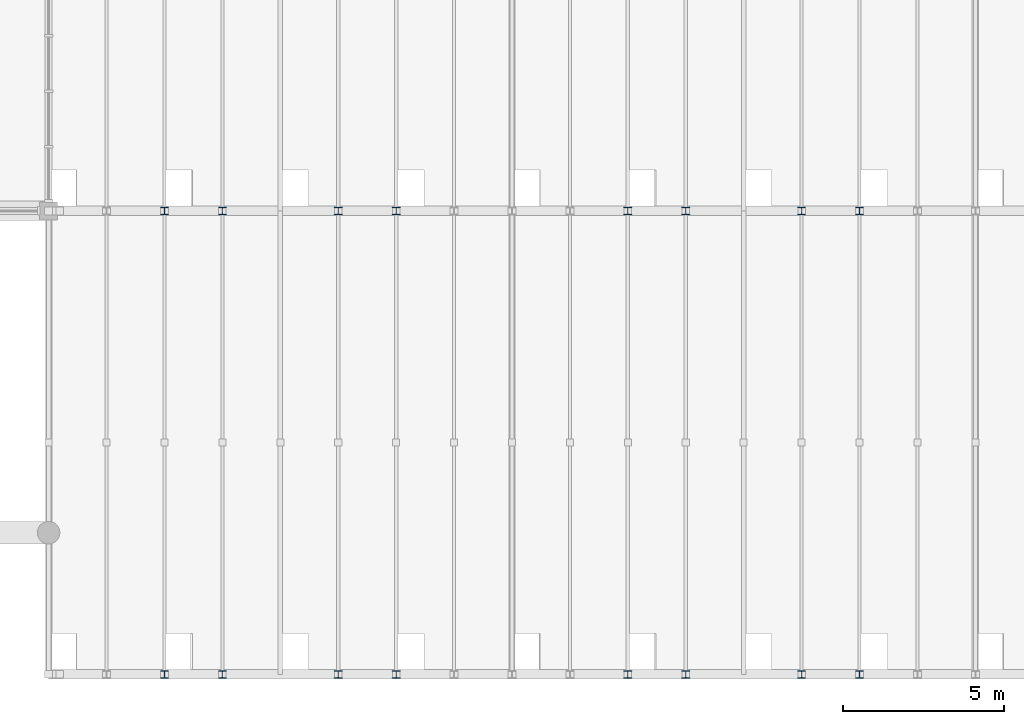
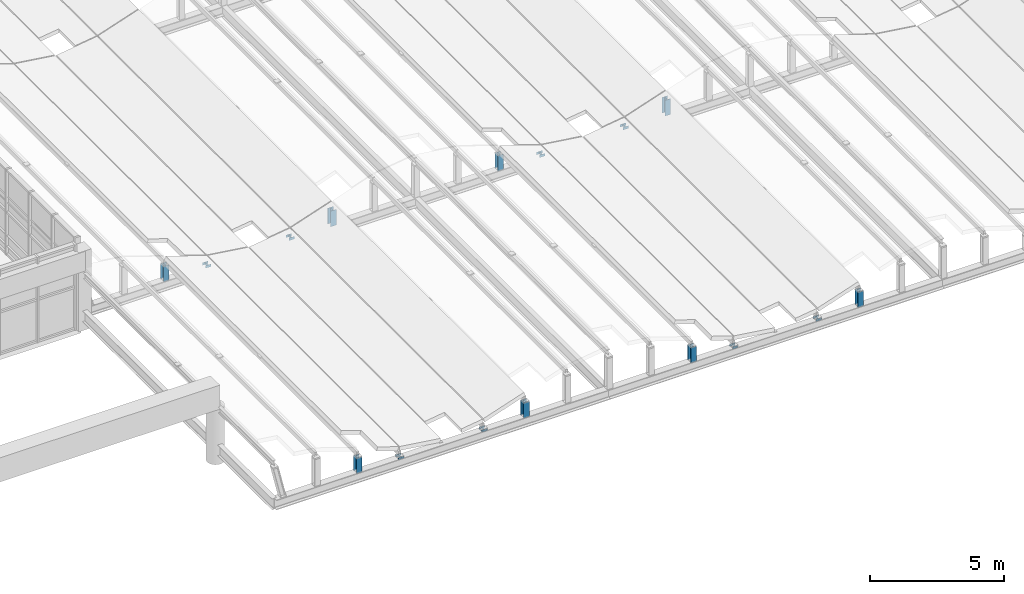
# One storey, part 42 of 83: 16 members.
"""IFC4 building model written with IfcOpenShell, lengths in metres."""

from ifc_helpers import new_model, si_unit, direction, frame, origin, origin_2d, place, context, subcontext, project, spatial, i_section, extrude, material, material_profile, profile_set, type_object, element, save


model = new_model("IFC4")

# Units and contexts
model_context = context("Model", 3, precision=1e-05, world=origin(), true_north=direction((0.0, 1.0)))
body_context = subcontext(model_context, "Body", "Model", "MODEL_VIEW")
ifc_project = project(units=[si_unit("LENGTHUNIT", "METRE"), si_unit("AREAUNIT", "SQUARE_METRE"), si_unit("VOLUMEUNIT", "CUBIC_METRE"), si_unit("PLANEANGLEUNIT", "RADIAN"), si_unit("MASSUNIT", "GRAM", prefix="KILO")], contexts=[model_context])

# Site, building, storey
site_placement = place(None, origin())
site = spatial("IfcSite", under=ifc_project, at=site_placement, CompositionType="ELEMENT")
building_placement = place(site_placement, origin())
building = spatial("IfcBuilding", under=site, at=building_placement, Name="Leyfeld Transit Interchange", CompositionType="ELEMENT")
storey_placement = place(building_placement, frame((0.0, 0.0, 5.39990234375)))
storey = spatial("IfcBuildingStorey", under=building, at=storey_placement, Name="L01", CompositionType="ELEMENT", Elevation=5.39990234375)

# Members
ifc_material = material(Name="Steel S355J2", Category="steel")
ifc_material_profile = material_profile(ifc_material, i_section(OverallWidth=0.239990234375, OverallDepth=0.22998046875, WebThickness=0.007568359375, FlangeThickness=0.011962890625, FilletRadius=0.02099609375, at=origin_2d()), Name="HEA 240")
ifc_profile_set = profile_set([ifc_material_profile], Name="Steel S355J2")
member_type = type_object("IfcMemberType", Name="MEM-CHD-HEA240", PredefinedType="CHORD", material=ifc_profile_set)
member_1_placement = place(storey_placement, frame((104.39990234375, 0.0, 0.860107421875), z_axis=(0.0, 0.0, 1.0), x_axis=(1.0, 0.0, 0.0)))
element("IfcMember", 1, at=member_1_placement, inside=storey, type_object=member_type, Name="Wave Canopy Riser Post 016", PredefinedType="CHORD", context=body_context, shape_type="SweptSolid", body=[
    extrude(i_section(OverallWidth=0.239990234375, OverallDepth=0.22998046875, WebThickness=0.007568359375, FlangeThickness=0.011962890625, FilletRadius=0.02099609375, at=origin_2d()), origin(), (0.0, 0.0, 1.0), 0.696533203125),
])
member_2_placement = place(storey_placement, frame((104.39990234375, 14.39990234375, 0.860107421875), z_axis=(0.0, 0.0, 1.0), x_axis=(1.0, 0.0, 0.0)))
element("IfcMember", 2, at=member_2_placement, inside=storey, type_object=member_type, Name="Wave Canopy Riser Post 018", PredefinedType="CHORD", context=body_context, shape_type="SweptSolid", body=[
    extrude(i_section(OverallWidth=0.239990234375, OverallDepth=0.22998046875, WebThickness=0.007568359375, FlangeThickness=0.011962890625, FilletRadius=0.02099609375, at=origin_2d()), origin(), (0.0, 0.0, 1.0), 0.71240234375),
])
member_3_placement = place(storey_placement, frame((106.199951171875, 0.0, 0.860107421875), z_axis=(0.0, 0.0, 1.0), x_axis=(1.0, 0.0, 0.0)))
element("IfcMember", 3, at=member_3_placement, inside=storey, type_object=member_type, Name="Wave Canopy Riser Post 023", PredefinedType="CHORD", context=body_context, shape_type="SweptSolid", body=[
    extrude(i_section(OverallWidth=0.239990234375, OverallDepth=0.22998046875, WebThickness=0.007568359375, FlangeThickness=0.011962890625, FilletRadius=0.02099609375, at=origin_2d()), origin(), (0.0, 0.0, 1.0), 0.0947265625),
])
member_4_placement = place(storey_placement, frame((106.199951171875, 14.39990234375, 0.860107421875), z_axis=(0.0, 0.0, 1.0), x_axis=(1.0, 0.0, 0.0)))
element("IfcMember", 4, at=member_4_placement, inside=storey, type_object=member_type, Name="Wave Canopy Riser Post 025", PredefinedType="CHORD", context=body_context, shape_type="SweptSolid", body=[
    extrude(i_section(OverallWidth=0.239990234375, OverallDepth=0.22998046875, WebThickness=0.007568359375, FlangeThickness=0.011962890625, FilletRadius=0.02099609375, at=origin_2d()), origin(), (0.0, 0.0, 1.0), 0.110595703125),
])
member_5_placement = place(storey_placement, frame((109.800048828125, 0.0, 0.860107421875), z_axis=(0.0, 0.0, 1.0), x_axis=(1.0, 0.0, 0.0)))
element("IfcMember", 5, at=member_5_placement, inside=storey, type_object=member_type, Name="Wave Canopy Riser Post 033", PredefinedType="CHORD", context=body_context, shape_type="SweptSolid", body=[
    extrude(i_section(OverallWidth=0.239990234375, OverallDepth=0.22998046875, WebThickness=0.007568359375, FlangeThickness=0.011962890625, FilletRadius=0.02099609375, at=origin_2d()), origin(), (0.0, 0.0, 1.0), 0.0947265625),
])
member_6_placement = place(storey_placement, frame((109.800048828125, 14.39990234375, 0.860107421875), z_axis=(0.0, 0.0, 1.0), x_axis=(1.0, 0.0, 0.0)))
element("IfcMember", 6, at=member_6_placement, inside=storey, type_object=member_type, Name="Wave Canopy Riser Post 035", PredefinedType="CHORD", context=body_context, shape_type="SweptSolid", body=[
    extrude(i_section(OverallWidth=0.239990234375, OverallDepth=0.22998046875, WebThickness=0.007568359375, FlangeThickness=0.011962890625, FilletRadius=0.02099609375, at=origin_2d()), origin(), (0.0, 0.0, 1.0), 0.110595703125),
])
member_7_placement = place(storey_placement, frame((111.60009765625, 0.0, 0.860107421875), z_axis=(0.0, 0.0, 1.0), x_axis=(1.0, 0.0, 0.0)))
element("IfcMember", 7, at=member_7_placement, inside=storey, type_object=member_type, Name="Wave Canopy Riser Post 040", PredefinedType="CHORD", context=body_context, shape_type="SweptSolid", body=[
    extrude(i_section(OverallWidth=0.239990234375, OverallDepth=0.22998046875, WebThickness=0.007568359375, FlangeThickness=0.011962890625, FilletRadius=0.02099609375, at=origin_2d()), origin(), (0.0, 0.0, 1.0), 0.696533203125),
])
member_8_placement = place(storey_placement, frame((111.60009765625, 14.39990234375, 0.860107421875), z_axis=(0.0, 0.0, 1.0), x_axis=(1.0, 0.0, 0.0)))
element("IfcMember", 8, at=member_8_placement, inside=storey, type_object=member_type, Name="Wave Canopy Riser Post 042", PredefinedType="CHORD", context=body_context, shape_type="SweptSolid", body=[
    extrude(i_section(OverallWidth=0.239990234375, OverallDepth=0.22998046875, WebThickness=0.007568359375, FlangeThickness=0.011962890625, FilletRadius=0.02099609375, at=origin_2d()), origin(), (0.0, 0.0, 1.0), 0.71240234375),
])
member_9_placement = place(storey_placement, frame((118.800048828125, 0.0, 0.860107421875), z_axis=(0.0, 0.0, 1.0), x_axis=(1.0, 0.0, 0.0)))
element("IfcMember", 9, at=member_9_placement, inside=storey, type_object=member_type, Name="Wave Canopy Riser Post 068", PredefinedType="CHORD", context=body_context, shape_type="SweptSolid", body=[
    extrude(i_section(OverallWidth=0.239990234375, OverallDepth=0.22998046875, WebThickness=0.007568359375, FlangeThickness=0.011962890625, FilletRadius=0.02099609375, at=origin_2d()), origin(), (0.0, 0.0, 1.0), 0.696533203125),
])
member_10_placement = place(storey_placement, frame((118.800048828125, 14.39990234375, 0.860107421875), z_axis=(0.0, 0.0, 1.0), x_axis=(1.0, 0.0, 0.0)))
element("IfcMember", 10, at=member_10_placement, inside=storey, type_object=member_type, Name="Wave Canopy Riser Post 070", PredefinedType="CHORD", context=body_context, shape_type="SweptSolid", body=[
    extrude(i_section(OverallWidth=0.239990234375, OverallDepth=0.22998046875, WebThickness=0.007568359375, FlangeThickness=0.011962890625, FilletRadius=0.02099609375, at=origin_2d()), origin(), (0.0, 0.0, 1.0), 0.71240234375),
])
member_11_placement = place(storey_placement, frame((120.60009765625, 0.0, 0.860107421875), z_axis=(0.0, 0.0, 1.0), x_axis=(1.0, 0.0, 0.0)))
element("IfcMember", 11, at=member_11_placement, inside=storey, type_object=member_type, Name="Wave Canopy Riser Post 075", PredefinedType="CHORD", context=body_context, shape_type="SweptSolid", body=[
    extrude(i_section(OverallWidth=0.239990234375, OverallDepth=0.22998046875, WebThickness=0.007568359375, FlangeThickness=0.011962890625, FilletRadius=0.02099609375, at=origin_2d()), origin(), (0.0, 0.0, 1.0), 0.0947265625),
])
member_12_placement = place(storey_placement, frame((120.60009765625, 14.39990234375, 0.860107421875), z_axis=(0.0, 0.0, 1.0), x_axis=(1.0, 0.0, 0.0)))
element("IfcMember", 12, at=member_12_placement, inside=storey, type_object=member_type, Name="Wave Canopy Riser Post 077", PredefinedType="CHORD", context=body_context, shape_type="SweptSolid", body=[
    extrude(i_section(OverallWidth=0.239990234375, OverallDepth=0.22998046875, WebThickness=0.007568359375, FlangeThickness=0.011962890625, FilletRadius=0.02099609375, at=origin_2d()), origin(), (0.0, 0.0, 1.0), 0.110595703125),
])
member_13_placement = place(storey_placement, frame((124.199951171875, 0.0, 0.860107421875), z_axis=(0.0, 0.0, 1.0), x_axis=(1.0, 0.0, 0.0)))
element("IfcMember", 13, at=member_13_placement, inside=storey, type_object=member_type, Name="Wave Canopy Riser Post 085", PredefinedType="CHORD", context=body_context, shape_type="SweptSolid", body=[
    extrude(i_section(OverallWidth=0.239990234375, OverallDepth=0.22998046875, WebThickness=0.007568359375, FlangeThickness=0.011962890625, FilletRadius=0.02099609375, at=origin_2d()), origin(), (0.0, 0.0, 1.0), 0.0947265625),
])
member_14_placement = place(storey_placement, frame((124.199951171875, 14.39990234375, 0.860107421875), z_axis=(0.0, 0.0, 1.0), x_axis=(1.0, 0.0, 0.0)))
element("IfcMember", 14, at=member_14_placement, inside=storey, type_object=member_type, Name="Wave Canopy Riser Post 087", PredefinedType="CHORD", context=body_context, shape_type="SweptSolid", body=[
    extrude(i_section(OverallWidth=0.239990234375, OverallDepth=0.22998046875, WebThickness=0.007568359375, FlangeThickness=0.011962890625, FilletRadius=0.02099609375, at=origin_2d()), origin(), (0.0, 0.0, 1.0), 0.110595703125),
])
member_15_placement = place(storey_placement, frame((126.0, 0.0, 0.860107421875), z_axis=(0.0, 0.0, 1.0), x_axis=(1.0, 0.0, 0.0)))
element("IfcMember", 15, at=member_15_placement, inside=storey, type_object=member_type, Name="Wave Canopy Riser Post 092", PredefinedType="CHORD", context=body_context, shape_type="SweptSolid", body=[
    extrude(i_section(OverallWidth=0.239990234375, OverallDepth=0.22998046875, WebThickness=0.007568359375, FlangeThickness=0.011962890625, FilletRadius=0.02099609375, at=origin_2d()), origin(), (0.0, 0.0, 1.0), 0.696533203125),
])
member_16_placement = place(storey_placement, frame((126.0, 14.39990234375, 0.860107421875), z_axis=(0.0, 0.0, 1.0), x_axis=(1.0, 0.0, 0.0)))
element("IfcMember", 16, at=member_16_placement, inside=storey, type_object=member_type, Name="Wave Canopy Riser Post 094", PredefinedType="CHORD", context=body_context, shape_type="SweptSolid", body=[
    extrude(i_section(OverallWidth=0.239990234375, OverallDepth=0.22998046875, WebThickness=0.007568359375, FlangeThickness=0.011962890625, FilletRadius=0.02099609375, at=origin_2d()), origin(), (0.0, 0.0, 1.0), 0.71240234375),
])

save(model, "model.ifc")
